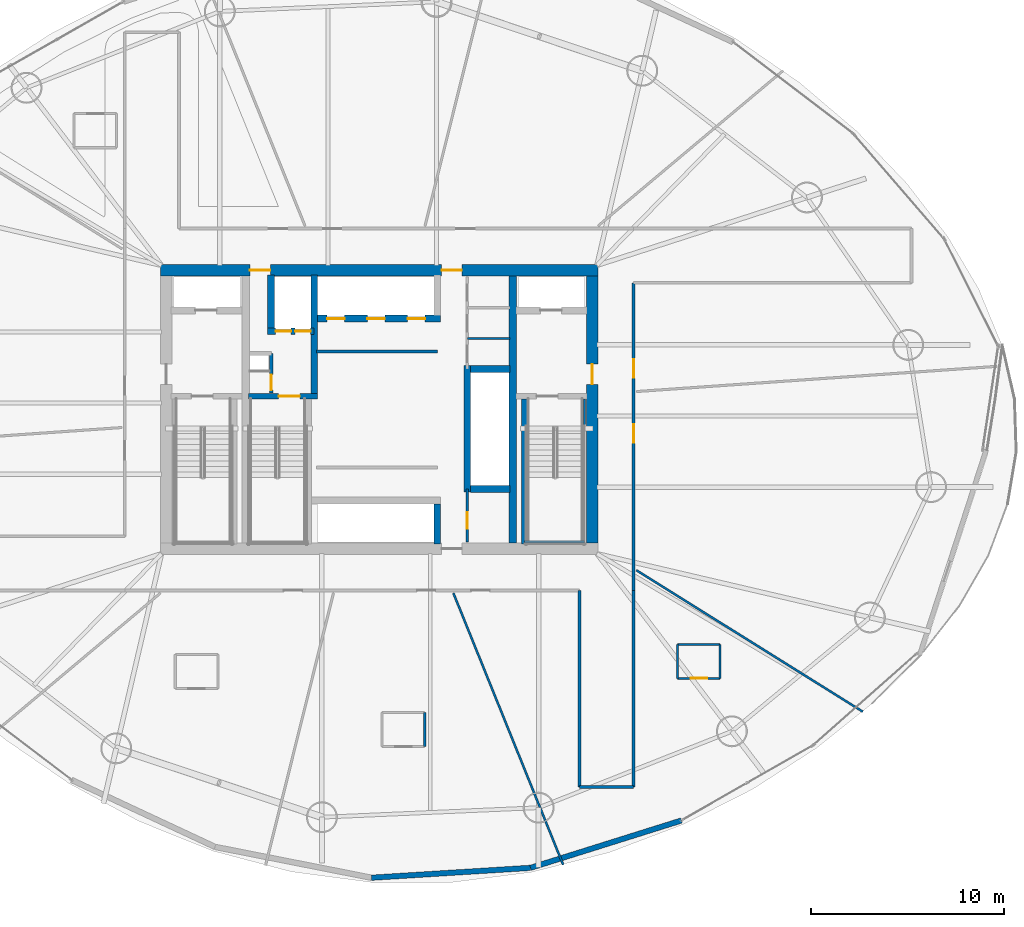
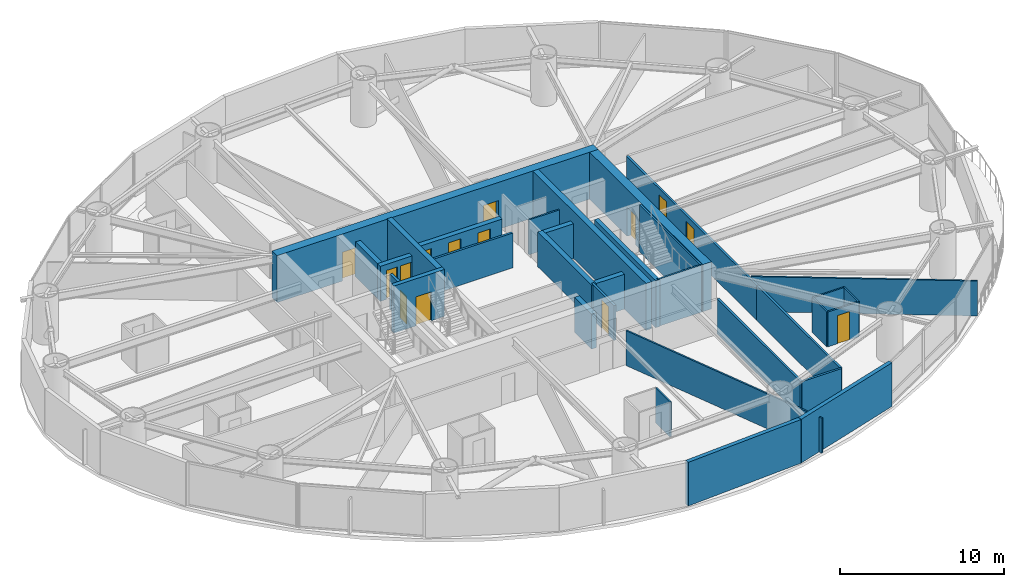
# One storey, part 20 of 26: 32 walls, 14 doors, 14 openings.
"""IFC4 building model written with IfcOpenShell, lengths in metres."""

from ifc_helpers import new_model, si_unit, direction, frame, frame_2d, origin, place, context, subcontext, project, spatial, rectangle, extrude, material, layer, layer_set, type_object, element, fill, save


model = new_model("IFC4")

# Units and contexts
model_context = context("Model", 3, precision=1e-05, world=origin(), true_north=direction((0.0, 1.0)))
body_context = subcontext(model_context, "Body", "Model", "MODEL_VIEW")
ifc_project = project(units=[si_unit("LENGTHUNIT", "METRE"), si_unit("AREAUNIT", "SQUARE_METRE"), si_unit("VOLUMEUNIT", "CUBIC_METRE"), si_unit("PLANEANGLEUNIT", "RADIAN"), si_unit("MASSUNIT", "GRAM", prefix="KILO")], contexts=[model_context])

# Site, building, storey
site_placement = place(None, origin())
site = spatial("IfcSite", under=ifc_project, at=site_placement, CompositionType="ELEMENT")
building_placement = place(site_placement, origin())
building = spatial("IfcBuilding", under=site, at=building_placement, Name="Bramvorn Convention Spire", CompositionType="ELEMENT")
storey_placement = place(building_placement, frame((0.0, 0.0, 51.89990234375)))
storey = spatial("IfcBuildingStorey", under=building, at=storey_placement, Name="L10", CompositionType="ELEMENT", Elevation=51.89990234375)

# Wall, openings, doors
ifc_material_1 = material(Name="Concrete C60/70", Category="concrete")
ifc_layer_1 = layer(ifc_material_1, 0.60009765625)
ifc_layer_set_1 = layer_set([ifc_layer_1], Name="Concrete C60/70 - WL-CORE-600")
wall_type_1 = type_object("IfcWallType", Name="WL-CORE-600", PredefinedType="SHEAR", material=ifc_layer_set_1)
wall_1_placement = place(storey_placement, frame((26.699951171875, 33.199951171875, 0.0), z_axis=(0.0, 0.0, 1.0), x_axis=(1.0, 0.0, 0.0)))
wall_1 = element("IfcWall", 1, at=wall_1_placement, inside=storey, type_object=wall_type_1, Name="L10 North RC core shear wall", PredefinedType="SHEAR", context=body_context, shape_type="SweptSolid", body=[
    extrude(rectangle(XDim=22.60009765625, YDim=0.60009765625, at=frame_2d((11.300048828125, 0.0))), origin(), (0.0, 0.0, 1.0), 3.5),
])
opening_1_placement = place(wall_1_placement, frame((4.6201171875, 0.0, 0.0)))
opening_1 = element("IfcOpeningElement", 2, at=opening_1_placement, cuts=wall_1, Name="Opening DL-105", PredefinedType="OPENING", context=body_context, shape_type="SweptSolid", body=[
    extrude(rectangle(XDim=1.050048828125, YDim=2.14990234375, at=frame_2d((0.52490234375, 1.074951171875))), frame((0.0, 0.31005859375, 0.0), z_axis=(0.0, -1.0, 0.0), x_axis=(1.0, 0.0, 0.0)), (0.0, 0.0, 1.0), 0.6201171875),
])
opening_2_placement = place(wall_1_placement, frame((14.52001953125, 0.0, 0.0)))
opening_2 = element("IfcOpeningElement", 3, at=opening_2_placement, cuts=wall_1, Name="Opening DL-105", PredefinedType="OPENING", context=body_context, shape_type="SweptSolid", body=[
    extrude(rectangle(XDim=1.050048828125, YDim=2.14990234375, at=frame_2d((0.52490234375, 1.074951171875))), frame((0.0, 0.31005859375, 0.0), z_axis=(0.0, -1.0, 0.0), x_axis=(1.0, 0.0, 0.0)), (0.0, 0.0, 1.0), 0.6201171875),
])
ifc_material_2 = material(Name="Smoke-Sealed Fire Lobby Timber-Core Door", Category="wood")
door_type_1 = type_object("IfcDoorType", Name="DR-LOBBY-1050", OperationType="NOTDEFINED", PredefinedType="DOOR", material=ifc_material_2)
door_1_placement = place(opening_1_placement, origin())
door_1 = element("IfcDoor", 4, at=door_1_placement, inside=storey, type_object=door_type_1, Name="L10 Service & Stair ST3 Lobby north corridor door", OperationType="SINGLE_SWING_LEFT", OverallHeight=2.14990234375, OverallWidth=1.050048828125, PredefinedType="DOOR", context=body_context, shape_type="SweptSolid", body=[
    extrude(rectangle(XDim=1.050048828125, YDim=2.14990234375, at=frame_2d((0.52490234375, 1.074951171875))), frame((0.0, 0.02490234375, 0.0), z_axis=(0.0, -1.0, 0.0), x_axis=(1.0, 0.0, 0.0)), (0.0, 0.0, 1.0), 0.050048828125),
])
fill(opening_1, door_1)
door_2_placement = place(opening_2_placement, origin())
door_2 = element("IfcDoor", 5, at=door_2_placement, inside=storey, type_object=door_type_1, Name="L10 North Lift Lobby fire door", OperationType="SINGLE_SWING_LEFT", OverallHeight=2.14990234375, OverallWidth=1.050048828125, PredefinedType="DOOR", context=body_context, shape_type="SweptSolid", body=[
    extrude(rectangle(XDim=1.050048828125, YDim=2.14990234375, at=frame_2d((0.52490234375, 1.074951171875))), frame((0.0, 0.02490234375, 0.0), z_axis=(0.0, -1.0, 0.0), x_axis=(1.0, 0.0, 0.0)), (0.0, 0.0, 1.0), 0.050048828125),
])
fill(opening_2, door_2)

# Wall, opening, door
wall_2_placement = place(storey_placement, frame((49.0, 19.10009765625, 0.0), z_axis=(0.0, 0.0, 1.0), x_axis=(0.0, 1.0, 0.0)))
wall_2 = element("IfcWall", 6, at=wall_2_placement, inside=storey, type_object=wall_type_1, Name="L10 East RC core shear wall", PredefinedType="SHEAR", context=body_context, shape_type="SweptSolid", body=[
    extrude(rectangle(XDim=13.7998046875, YDim=0.60009765625, at=frame_2d((6.89990234375, 0.0))), origin(), (0.0, 0.0, 1.0), 3.5),
])
opening_3_placement = place(wall_2_placement, frame((8.199951171875, 0.0, 0.0)))
opening_3 = element("IfcOpeningElement", 7, at=opening_3_placement, cuts=wall_2, Name="Opening DL-105", PredefinedType="OPENING", context=body_context, shape_type="SweptSolid", body=[
    extrude(rectangle(XDim=1.050048828125, YDim=2.14990234375, at=frame_2d((0.52490234375, 1.074951171875))), frame((0.0, 0.31005859375, 0.0), z_axis=(0.0, -1.0, 0.0), x_axis=(1.0, 0.0, 0.0)), (0.0, 0.0, 1.0), 0.6201171875),
])
door_3_placement = place(opening_3_placement, origin())
door_3 = element("IfcDoor", 8, at=door_3_placement, inside=storey, type_object=door_type_1, Name="L10 East Firefighting Lobby corridor door", OperationType="SINGLE_SWING_LEFT", OverallHeight=2.14990234375, OverallWidth=1.050048828125, PredefinedType="DOOR", context=body_context, shape_type="SweptSolid", body=[
    extrude(rectangle(XDim=1.050048828125, YDim=2.14990234375, at=frame_2d((0.52490234375, 1.074951171875))), frame((0.0, 0.02490234375, 0.0), z_axis=(0.0, -1.0, 0.0), x_axis=(1.0, 0.0, 0.0)), (0.0, 0.0, 1.0), 0.050048828125),
])
fill(opening_3, door_3)

# Wall
ifc_material_3 = material(Name="Concrete C50/60", Category="concrete")
ifc_layer_2 = layer(ifc_material_3, 0.35009765625)
ifc_layer_set_2 = layer_set([ifc_layer_2], Name="Concrete C50/60 - WL-CORE-INT-350")
wall_type_2 = type_object("IfcWallType", Name="WL-CORE-INT-350", PredefinedType="SHEAR", material=ifc_layer_set_2)
wall_3_placement = place(storey_placement, frame((34.639892578125, 26.68994140625, 0.0), z_axis=(0.0, 0.0, 1.0), x_axis=(0.0, 1.0, 0.0)))
element("IfcWall", 9, at=wall_3_placement, inside=storey, type_object=wall_type_2, Name="L10 SV east core shaft wall", PredefinedType="SHEAR", context=body_context, shape_type="SweptSolid", body=[
    extrude(rectangle(XDim=6.260009765625, YDim=0.35009765625, at=frame_2d((3.1298828125, 0.0))), origin(), (0.0, 0.0, 1.0), 3.5),
])

# Wall, openings, doors
wall_4_placement = place(storey_placement, frame((32.22998046875, 30.050048828125, 0.0), z_axis=(0.0, 0.0, 1.0), x_axis=(1.0, 0.0, 0.0)))
wall_4 = element("IfcWall", 10, at=wall_4_placement, inside=storey, type_object=wall_type_2, Name="L10 SV1/SV2 shaft front wall", PredefinedType="SHEAR", context=body_context, shape_type="SweptSolid", body=[
    extrude(rectangle(XDim=2.409912109375, YDim=0.35009765625, at=frame_2d((1.205078125, 0.0))), origin(), (0.0, 0.0, 1.0), 2.60009765625),
])
opening_4_placement = place(wall_4_placement, frame((0.419921875, 0.0, 0.0)))
opening_4 = element("IfcOpeningElement", 11, at=opening_4_placement, cuts=wall_4, Name="Opening LD-080", PredefinedType="OPENING", context=body_context, shape_type="SweptSolid", body=[
    extrude(rectangle(XDim=0.800048828125, YDim=2.14990234375, at=frame_2d((0.39990234375, 1.074951171875))), frame((0.0, 0.18505859375, 0.0), z_axis=(0.0, -1.0, 0.0), x_axis=(1.0, 0.0, 0.0)), (0.0, 0.0, 1.0), 0.3701171875),
])
opening_5_placement = place(wall_4_placement, frame((1.419921875, 0.0, 0.0)))
opening_5 = element("IfcOpeningElement", 12, at=opening_5_placement, cuts=wall_4, Name="Opening LD-080", PredefinedType="OPENING", context=body_context, shape_type="SweptSolid", body=[
    extrude(rectangle(XDim=0.800048828125, YDim=2.14990234375, at=frame_2d((0.39990234375, 1.074951171875))), frame((0.0, 0.18505859375, 0.0), z_axis=(0.0, -1.0, 0.0), x_axis=(1.0, 0.0, 0.0)), (0.0, 0.0, 1.0), 0.3701171875),
])
ifc_material_4 = material(Name="Service Lift Bi-Parting Landing Door", Category="steel")
door_type_2 = type_object("IfcDoorType", Name="DR-LIFT-LD-800", OperationType="NOTDEFINED", PredefinedType="DOOR", material=ifc_material_4)
door_4_placement = place(opening_4_placement, origin())
door_4 = element("IfcDoor", 13, at=door_4_placement, inside=storey, type_object=door_type_2, Name="L10 Lift SV1 Sliding Landing Door", OperationType="SLIDING_TO_LEFT", OverallHeight=2.14990234375, OverallWidth=0.800048828125, PredefinedType="DOOR", context=body_context, shape_type="SweptSolid", body=[
    extrude(rectangle(XDim=0.800048828125, YDim=2.14990234375, at=frame_2d((0.39990234375, 1.074951171875))), frame((0.0, 0.02490234375, 0.0), z_axis=(0.0, -1.0, 0.0), x_axis=(1.0, 0.0, 0.0)), (0.0, 0.0, 1.0), 0.050048828125),
])
fill(opening_4, door_4)
door_5_placement = place(opening_5_placement, origin())
door_5 = element("IfcDoor", 14, at=door_5_placement, inside=storey, type_object=door_type_2, Name="L10 Lift SV2 Sliding Landing Door", OperationType="SLIDING_TO_LEFT", OverallHeight=2.14990234375, OverallWidth=0.800048828125, PredefinedType="DOOR", context=body_context, shape_type="SweptSolid", body=[
    extrude(rectangle(XDim=0.800048828125, YDim=2.14990234375, at=frame_2d((0.39990234375, 1.074951171875))), frame((0.0, 0.02490234375, 0.0), z_axis=(0.0, -1.0, 0.0), x_axis=(1.0, 0.0, 0.0)), (0.0, 0.0, 1.0), 0.050048828125),
])
fill(opening_5, door_5)

# Walls
wall_5_placement = place(storey_placement, frame((32.39990234375, 30.219970703125, 0.0), z_axis=(0.0, 0.0, 1.0), x_axis=(0.0, 1.0, 0.0)))
element("IfcWall", 15, at=wall_5_placement, inside=storey, type_object=wall_type_2, Name="L10 SV1 west hoistway wall", PredefinedType="SHEAR", context=body_context, shape_type="SweptSolid", body=[
    extrude(rectangle(XDim=2.72998046875, YDim=0.35009765625, at=frame_2d((1.364990234375, 0.0))), origin(), (0.0, 0.0, 1.0), 2.60009765625),
])
wall_6_placement = place(storey_placement, frame((42.550048828125, 21.72998046875, 0.0), z_axis=(0.0, 0.0, 1.0), x_axis=(0.0, 1.0, 0.0)))
element("IfcWall", 16, at=wall_6_placement, inside=storey, type_object=wall_type_2, Name="L10 High-rise lift bank west wall", PredefinedType="SHEAR", context=body_context, shape_type="SweptSolid", body=[
    extrude(rectangle(XDim=6.5400390625, YDim=0.35009765625, at=frame_2d((3.27001953125, 0.0))), origin(), (0.0, 0.0, 1.0), 2.60009765625),
])
for number, where, z_axis, x_axis, name in (
    (17, (42.719970703125, 21.89990234375, 0.0), (0.0, 0.0, 1.0), (1.0, 0.0, 0.0), "L10 High-rise lift bank south wall"),
    (18, (42.719970703125, 28.10009765625, 0.0), (0.0, 0.0, 1.0), (1.0, 0.0, 0.0), "L10 High-rise lift bank north wall"),
):
    element("IfcWall", number, at=place(storey_placement, frame(where, z_axis=z_axis, x_axis=x_axis)), inside=storey, type_object=wall_type_2, Name=name, PredefinedType="SHEAR", context=body_context, shape_type="SweptSolid", body=[
        extrude(rectangle(XDim=2.030029296875, YDim=0.35009765625, at=frame_2d((1.01513671875, 0.0))), origin(), (0.0, 0.0, 1.0), 2.60009765625),
    ])

# Wall, openings, doors
wall_7_placement = place(storey_placement, frame((34.81005859375, 30.699951171875, 0.0), z_axis=(0.0, 0.0, 1.0), x_axis=(1.0, 0.0, 0.0)))
wall_7 = element("IfcWall", 19, at=wall_7_placement, inside=storey, type_object=wall_type_2, Name="L10 Low-rise bank south landing wall", PredefinedType="SHEAR", context=body_context, shape_type="SweptSolid", body=[
    extrude(rectangle(XDim=6.35986328125, YDim=0.35009765625, at=frame_2d((3.179931640625, 0.0))), origin(), (0.0, 0.0, 1.0), 2.60009765625),
])
opening_6_placement = place(wall_7_placement, frame((0.5, 0.0, 0.0)))
opening_6 = element("IfcOpeningElement", 20, at=opening_6_placement, cuts=wall_7, Name="Opening LD-090", PredefinedType="OPENING", context=body_context, shape_type="SweptSolid", body=[
    extrude(rectangle(XDim=0.89990234375, YDim=2.14990234375, at=frame_2d((0.449951171875, 1.074951171875))), frame((0.0, 0.18505859375, 0.0), z_axis=(0.0, -1.0, 0.0), x_axis=(1.0, 0.0, 0.0)), (0.0, 0.0, 1.0), 0.3701171875),
])
opening_7_placement = place(wall_7_placement, frame((2.580078125, 0.0, 0.0)))
opening_7 = element("IfcOpeningElement", 21, at=opening_7_placement, cuts=wall_7, Name="Opening LD-090", PredefinedType="OPENING", context=body_context, shape_type="SweptSolid", body=[
    extrude(rectangle(XDim=0.89990234375, YDim=2.14990234375, at=frame_2d((0.449951171875, 1.074951171875))), frame((0.0, 0.18505859375, 0.0), z_axis=(0.0, -1.0, 0.0), x_axis=(1.0, 0.0, 0.0)), (0.0, 0.0, 1.0), 0.3701171875),
])
opening_8_placement = place(wall_7_placement, frame((4.659912109375, 0.0, 0.0)))
opening_8 = element("IfcOpeningElement", 22, at=opening_8_placement, cuts=wall_7, Name="Opening LD-090", PredefinedType="OPENING", context=body_context, shape_type="SweptSolid", body=[
    extrude(rectangle(XDim=0.89990234375, YDim=2.14990234375, at=frame_2d((0.449951171875, 1.074951171875))), frame((0.0, 0.18505859375, 0.0), z_axis=(0.0, -1.0, 0.0), x_axis=(1.0, 0.0, 0.0)), (0.0, 0.0, 1.0), 0.3701171875),
])
ifc_material_5 = material(Name="Bi-Parting Fire-Rated Lift Landing Door", Category="steel")
door_type_3 = type_object("IfcDoorType", Name="DR-LIFT-LD-900", OperationType="NOTDEFINED", PredefinedType="DOOR", material=ifc_material_5)
door_6_placement = place(opening_6_placement, origin())
door_6 = element("IfcDoor", 23, at=door_6_placement, inside=storey, type_object=door_type_3, Name="L10 Lift PL1 Sliding Landing Door", OperationType="SLIDING_TO_LEFT", OverallHeight=2.14990234375, OverallWidth=0.89990234375, PredefinedType="DOOR", context=body_context, shape_type="SweptSolid", body=[
    extrude(rectangle(XDim=0.89990234375, YDim=2.14990234375, at=frame_2d((0.449951171875, 1.074951171875))), frame((0.0, 0.02490234375, 0.0), z_axis=(0.0, -1.0, 0.0), x_axis=(1.0, 0.0, 0.0)), (0.0, 0.0, 1.0), 0.050048828125),
])
fill(opening_6, door_6)
door_7_placement = place(opening_7_placement, origin())
door_7 = element("IfcDoor", 24, at=door_7_placement, inside=storey, type_object=door_type_3, Name="L10 Lift PL2 Sliding Landing Door", OperationType="SLIDING_TO_LEFT", OverallHeight=2.14990234375, OverallWidth=0.89990234375, PredefinedType="DOOR", context=body_context, shape_type="SweptSolid", body=[
    extrude(rectangle(XDim=0.89990234375, YDim=2.14990234375, at=frame_2d((0.449951171875, 1.074951171875))), frame((0.0, 0.02490234375, 0.0), z_axis=(0.0, -1.0, 0.0), x_axis=(1.0, 0.0, 0.0)), (0.0, 0.0, 1.0), 0.050048828125),
])
fill(opening_7, door_7)
door_8_placement = place(opening_8_placement, origin())
door_8 = element("IfcDoor", 25, at=door_8_placement, inside=storey, type_object=door_type_3, Name="L10 Lift PL3 Sliding Landing Door", OperationType="SLIDING_TO_LEFT", OverallHeight=2.14990234375, OverallWidth=0.89990234375, PredefinedType="DOOR", context=body_context, shape_type="SweptSolid", body=[
    extrude(rectangle(XDim=0.89990234375, YDim=2.14990234375, at=frame_2d((0.449951171875, 1.074951171875))), frame((0.0, 0.02490234375, 0.0), z_axis=(0.0, -1.0, 0.0), x_axis=(1.0, 0.0, 0.0)), (0.0, 0.0, 1.0), 0.050048828125),
])
fill(opening_8, door_8)

# Walls
wall_8_placement = place(storey_placement, frame((41.0, 19.050048828125, 0.0), z_axis=(0.0, 0.0, 1.0), x_axis=(0.0, 1.0, 0.0)))
element("IfcWall", 26, at=wall_8_placement, inside=storey, type_object=wall_type_2, Name="L10 Mid-rise bank east cheek wall", PredefinedType="SHEAR", context=body_context, shape_type="SweptSolid", body=[
    extrude(rectangle(XDim=2.079833984375, YDim=0.35009765625, at=frame_2d((1.0400390625, 0.0))), origin(), (0.0, 0.0, 1.0), 2.60009765625),
])
ifc_layer_3 = layer(ifc_material_1, 0.39990234375)
ifc_layer_set_3 = layer_set([ifc_layer_3], Name="Concrete C60/70 - WL-CORE-INT-400")
wall_type_3 = type_object("IfcWallType", Name="WL-CORE-INT-400", PredefinedType="SHEAR", material=ifc_layer_set_3)
wall_9_placement = place(storey_placement, frame((44.89990234375, 19.10009765625, 0.0), z_axis=(0.0, 0.0, 1.0), x_axis=(0.0, 1.0, 0.0)))
element("IfcWall", 27, at=wall_9_placement, inside=storey, type_object=wall_type_3, Name="L10 East internal core shear web", PredefinedType="SHEAR", context=body_context, shape_type="SweptSolid", body=[
    extrude(rectangle(XDim=13.7998046875, YDim=0.39990234375, at=frame_2d((6.89990234375, 0.0))), origin(), (0.0, 0.0, 1.0), 3.5),
])
ifc_material_6 = material(Name="Precast Concrete C40/50 with Bronze Terracotta Rainscreen", Category="masonry")
ifc_layer_4 = layer(ifc_material_6, 0.300048828125)
ifc_layer_set_4 = layer_set([ifc_layer_4], Name="Precast Concrete C40/50 with Bronze Terracotta Rainscreen - WL-EXT-BRONZE-300")
wall_type_4 = type_object("IfcWallType", Name="WL-EXT-BRONZE-300", PredefinedType="SOLIDWALL", material=ifc_layer_set_4)
wall_10_placement = place(storey_placement, frame((45.821044921875, 2.314453125, 0.0), z_axis=(0.0, 0.0, 1.0), x_axis=(-0.99807418835, -0.062031560917, 0.0)))
element("IfcWall", 28, at=wall_10_placement, inside=storey, type_object=wall_type_4, Name="L10 expressed bronze Gothic lancet pier wall 19", PredefinedType="SOLIDWALL", context=body_context, shape_type="SweptSolid", body=[
    extrude(rectangle(XDim=8.241455078125, YDim=0.280029296875, at=frame_2d((4.12060546875, 0.0))), origin(), (0.0, 0.0, 1.0), 3.25),
])
wall_11_placement = place(storey_placement, frame((53.61669921875, 4.761474609375, 0.0), z_axis=(0.0, 0.0, 1.0), x_axis=(-0.954100123885, -0.299487818787, 0.0)))
element("IfcWall", 29, at=wall_11_placement, inside=storey, type_object=wall_type_4, Name="L10 expressed bronze Gothic lancet pier wall 20", PredefinedType="SOLIDWALL", context=body_context, shape_type="SweptSolid", body=[
    extrude(rectangle(XDim=8.170654296875, YDim=0.280029296875, at=frame_2d((4.08544921875, 0.0))), origin(), (0.0, 0.0, 1.0), 3.25),
])
ifc_material_7 = material(Name="Lightweight En-Suite & Wet-Wall Partition", Category="gypsum")
ifc_layer_5 = layer(ifc_material_7, 0.110107421875)
ifc_layer_set_5 = layer_set([ifc_layer_5], Name="Lightweight En-Suite & Wet-Wall Partition - WL-PART-110")
wall_type_5 = type_object("IfcWallType", Name="WL-PART-110", PredefinedType="PARTITIONING", material=ifc_layer_set_5)
wall_12_placement = place(storey_placement, frame((42.550048828125, 29.679931640625, 0.0), z_axis=(0.0, 0.0, 1.0), x_axis=(1.0, 0.0, 0.0)))
element("IfcWall", 30, at=wall_12_placement, inside=storey, type_object=wall_type_5, Name="L10 KC NE div 1", PredefinedType="PARTITIONING", context=body_context, shape_type="SweptSolid", body=[
    extrude(rectangle(XDim=2.199951171875, YDim=0.110107421875, at=frame_2d((1.10009765625, 0.0))), origin(), (0.0, 0.0, 1.0), 2.60009765625),
])
wall_13_placement = place(storey_placement, frame((41.834228515625, 16.510009765625, 0.0), z_axis=(0.0, 0.0, 1.0), x_axis=(0.374612575017, -0.927181437821, 0.0)))
element("IfcWall", 31, at=wall_13_placement, inside=storey, type_object=wall_type_5, Name="L10 Guestroom demising wall 9", PredefinedType="PARTITIONING", context=body_context, shape_type="SweptSolid", body=[
    extrude(rectangle(XDim=15.14453125, YDim=0.110107421875, at=frame_2d((7.572265625, 0.0))), origin(), (0.0, 0.0, 1.0), 2.60009765625),
])
wall_14_placement = place(storey_placement, frame((51.2900390625, 17.695556640625, 0.0), z_axis=(0.0, 0.0, 1.0), x_axis=(0.848048981213, -0.529917847844, 0.0)))
element("IfcWall", 32, at=wall_14_placement, inside=storey, type_object=wall_type_5, Name="L10 Guestroom demising wall 10", PredefinedType="PARTITIONING", context=body_context, shape_type="SweptSolid", body=[
    extrude(rectangle(XDim=13.802001953125, YDim=0.110107421875, at=frame_2d((6.90087890625, 0.0))), origin(), (0.0, 0.0, 1.0), 2.60009765625),
])
wall_15_placement = place(storey_placement, frame((40.3505859375, 8.57958984375, 0.0), z_axis=(0.0, 0.0, 1.0), x_axis=(0.0, 1.0, 0.0)))
element("IfcWall", 33, at=wall_15_placement, inside=storey, type_object=wall_type_5, Name="Hotel Suite 1008 en-suite east wall", PredefinedType="PARTITIONING", context=body_context, shape_type="SweptSolid", body=[
    extrude(rectangle(XDim=1.760009765625, YDim=0.110107421875, at=frame_2d((0.8798828125, 0.0))), origin(), (0.0, 0.0, 1.0), 2.60009765625),
])

# Wall, opening, door
wall_16_placement = place(storey_placement, frame((53.418701171875, 12.102783203125, 0.0), z_axis=(0.0, 0.0, 1.0), x_axis=(1.0, 0.0, 0.0)))
wall_16 = element("IfcWall", 34, at=wall_16_placement, inside=storey, type_object=wall_type_5, Name="Hotel Suite 1009 en-suite south wall", PredefinedType="PARTITIONING", context=body_context, shape_type="SweptSolid", body=[
    extrude(rectangle(XDim=2.199951171875, YDim=0.110107421875, at=frame_2d((1.10009765625, 0.0))), origin(), (0.0, 0.0, 1.0), 2.60009765625),
])
opening_9_placement = place(wall_16_placement, frame((0.679931640625, 0.0, 0.0)))
opening_9 = element("IfcOpeningElement", 35, at=opening_9_placement, cuts=wall_16, Name="Opening DI-085", PredefinedType="OPENING", context=body_context, shape_type="SweptSolid", body=[
    extrude(rectangle(XDim=0.85009765625, YDim=2.10009765625, at=frame_2d((0.425048828125, 1.050048828125))), frame((0.0, 0.06494140625, 0.0), z_axis=(0.0, -1.0, 0.0), x_axis=(1.0, 0.0, 0.0)), (0.0, 0.0, 1.0), 0.130126953125),
])
ifc_material_8 = material(Name="En-Suite & Restroom Privacy Door", Category="wood")
door_type_4 = type_object("IfcDoorType", Name="DR-INT-850", OperationType="NOTDEFINED", PredefinedType="DOOR", material=ifc_material_8)
door_9_placement = place(opening_9_placement, origin())
door_9 = element("IfcDoor", 36, at=door_9_placement, inside=storey, type_object=door_type_4, Name="Hotel Suite 1009 En-Suite Bathroom door", OperationType="SINGLE_SWING_LEFT", OverallHeight=2.10009765625, OverallWidth=0.85009765625, PredefinedType="DOOR", context=body_context, shape_type="SweptSolid", body=[
    extrude(rectangle(XDim=0.85009765625, YDim=2.10009765625, at=frame_2d((0.425048828125, 1.050048828125))), frame((0.0, 0.02490234375, 0.0), z_axis=(0.0, -1.0, 0.0), x_axis=(1.0, 0.0, 0.0)), (0.0, 0.0, 1.0), 0.050048828125),
])
fill(opening_9, door_9)

# Walls
wall_17_placement = place(storey_placement, frame((53.418701171875, 13.86279296875, 0.0), z_axis=(0.0, 0.0, 1.0), x_axis=(1.0, 0.0, 0.0)))
element("IfcWall", 37, at=wall_17_placement, inside=storey, type_object=wall_type_5, Name="Hotel Suite 1009 en-suite north wall", PredefinedType="PARTITIONING", context=body_context, shape_type="SweptSolid", body=[
    extrude(rectangle(XDim=2.199951171875, YDim=0.110107421875, at=frame_2d((1.10009765625, 0.0))), origin(), (0.0, 0.0, 1.0), 2.60009765625),
])
for number, where, z_axis, x_axis, name in (
    (38, (53.418701171875, 12.102783203125, 0.0), (0.0, 0.0, 1.0), (0.0, 1.0, 0.0), "Hotel Suite 1009 en-suite west wall"),
    (39, (55.61865234375, 12.102783203125, 0.0), (0.0, 0.0, 1.0), (0.0, 1.0, 0.0), "Hotel Suite 1009 en-suite east wall"),
):
    element("IfcWall", number, at=place(storey_placement, frame(where, z_axis=z_axis, x_axis=x_axis)), inside=storey, type_object=wall_type_5, Name=name, PredefinedType="PARTITIONING", context=body_context, shape_type="SweptSolid", body=[
        extrude(rectangle(XDim=1.760009765625, YDim=0.110107421875, at=frame_2d((0.8798828125, 0.0))), origin(), (0.0, 0.0, 1.0), 2.60009765625),
    ])
ifc_material_9 = material(Name="Acoustic Metal-Stud Tenant/Corridor Partition", Category="gypsum")
ifc_layer_6 = layer(ifc_material_9, 0.14990234375)
ifc_layer_set_6 = layer_set([ifc_layer_6], Name="Acoustic Metal-Stud Tenant/Corridor Partition - WL-PART-150")
wall_type_6 = type_object("IfcWallType", Name="WL-PART-150", PredefinedType="PARTITIONING", material=ifc_layer_set_6)
wall_18_placement = place(storey_placement, frame((34.75, 29.0, 0.0), z_axis=(0.0, 0.0, 1.0), x_axis=(1.0, 0.0, 0.0)))
element("IfcWall", 40, at=wall_18_placement, inside=storey, type_object=wall_type_6, Name="L10 Low-rise lift vestibule south wall", PredefinedType="PARTITIONING", context=body_context, shape_type="SweptSolid", body=[
    extrude(rectangle(XDim=6.25, YDim=0.14990234375, at=frame_2d((3.125, 0.0))), origin(), (0.0, 0.0, 1.0), 2.60009765625),
])

# Wall, opening, door
wall_19_placement = place(storey_placement, frame((42.550048828125, 19.14990234375, 0.0), z_axis=(0.0, 0.0, 1.0), x_axis=(0.0, 1.0, 0.0)))
wall_19 = element("IfcWall", 41, at=wall_19_placement, inside=storey, type_object=wall_type_6, Name="L10 KC SE wall", PredefinedType="PARTITIONING", context=body_context, shape_type="SweptSolid", body=[
    extrude(rectangle(XDim=2.75, YDim=0.14990234375, at=frame_2d((1.375, 0.0))), origin(), (0.0, 0.0, 1.0), 2.60009765625),
])
opening_10_placement = place(wall_19_placement, frame((0.699951171875, 0.0, 0.0)))
opening_10 = element("IfcOpeningElement", 42, at=opening_10_placement, cuts=wall_19, Name="Opening DC-085", PredefinedType="OPENING", context=body_context, shape_type="SweptSolid", body=[
    extrude(rectangle(XDim=0.85009765625, YDim=2.10009765625, at=frame_2d((0.425048828125, 1.050048828125))), frame((0.0, 0.0849609375, 0.0), z_axis=(0.0, -1.0, 0.0), x_axis=(1.0, 0.0, 0.0)), (0.0, 0.0, 1.0), 0.169921875),
])
ifc_material_10 = material(Name="Fire-Rated Core Washroom & IDF Door", Category="wood")
door_type_5 = type_object("IfcDoorType", Name="DR-CORE-850", OperationType="NOTDEFINED", PredefinedType="DOOR", material=ifc_material_10)
door_10_placement = place(opening_10_placement, origin())
door_10 = element("IfcDoor", 43, at=door_10_placement, inside=storey, type_object=door_type_5, Name="L10 Core Valve & Riser Room door", OperationType="SINGLE_SWING_LEFT", OverallHeight=2.10009765625, OverallWidth=0.85009765625, PredefinedType="DOOR", context=body_context, shape_type="SweptSolid", body=[
    extrude(rectangle(XDim=0.85009765625, YDim=2.10009765625, at=frame_2d((0.425048828125, 1.050048828125))), frame((0.0, 0.02490234375, 0.0), z_axis=(0.0, -1.0, 0.0), x_axis=(1.0, 0.0, 0.0)), (0.0, 0.0, 1.0), 0.050048828125),
])
fill(opening_10, door_10)

# Wall, openings, doors
wall_20_placement = place(storey_placement, frame((51.14990234375, 16.64990234375, 0.0), z_axis=(0.0, 0.0, 1.0), x_axis=(0.0, 1.0, 0.0)))
wall_20 = element("IfcWall", 44, at=wall_20_placement, inside=storey, type_object=wall_type_6, Name="L10 East ring corridor wall", PredefinedType="PARTITIONING", context=body_context, shape_type="SweptSolid", body=[
    extrude(rectangle(XDim=15.900146484375, YDim=0.14990234375, at=frame_2d((7.9501953125, 0.0))), origin(), (0.0, 0.0, 1.0), 2.60009765625),
])
opening_11_placement = place(wall_20_placement, frame((10.986083984375, 0.0, 0.0)))
opening_11 = element("IfcOpeningElement", 45, at=opening_11_placement, cuts=wall_20, Name="Opening DH-095", PredefinedType="OPENING", context=body_context, shape_type="SweptSolid", body=[
    extrude(rectangle(XDim=0.949951171875, YDim=2.14990234375, at=frame_2d((0.47509765625, 1.074951171875))), frame((0.0, 0.0849609375, 0.0), z_axis=(0.0, -1.0, 0.0), x_axis=(1.0, 0.0, 0.0)), (0.0, 0.0, 1.0), 0.169921875),
])
opening_12_placement = place(wall_20_placement, frame((7.644775390625, 0.0, 0.0)))
opening_12 = element("IfcOpeningElement", 46, at=opening_12_placement, cuts=wall_20, Name="Opening DH-095", PredefinedType="OPENING", context=body_context, shape_type="SweptSolid", body=[
    extrude(rectangle(XDim=0.949951171875, YDim=2.14990234375, at=frame_2d((0.47509765625, 1.074951171875))), frame((0.0, 0.0849609375, 0.0), z_axis=(0.0, -1.0, 0.0), x_axis=(1.0, 0.0, 0.0)), (0.0, 0.0, 1.0), 0.169921875),
])
ifc_material_11 = material(Name="Solid-Core Acoustic Guestroom Entry Door", Category="wood")
door_type_6 = type_object("IfcDoorType", Name="DR-HOTEL-950", OperationType="NOTDEFINED", PredefinedType="DOOR", material=ifc_material_11)
door_11_placement = place(opening_11_placement, origin())
door_11 = element("IfcDoor", 47, at=door_11_placement, inside=storey, type_object=door_type_6, Name="L10 Sky Garden Lounge corridor door", OperationType="SINGLE_SWING_RIGHT", OverallHeight=2.14990234375, OverallWidth=0.949951171875, PredefinedType="DOOR", context=body_context, shape_type="SweptSolid", body=[
    extrude(rectangle(XDim=0.949951171875, YDim=2.14990234375, at=frame_2d((0.47509765625, 1.074951171875))), frame((0.0, 0.02490234375, 0.0), z_axis=(0.0, -1.0, 0.0), x_axis=(1.0, 0.0, 0.0)), (0.0, 0.0, 1.0), 0.050048828125),
])
fill(opening_11, door_11)
door_12_placement = place(opening_12_placement, origin())
door_12 = element("IfcDoor", 48, at=door_12_placement, inside=storey, type_object=door_type_6, Name="L10 Hospitality Salon 10 door", OperationType="SINGLE_SWING_RIGHT", OverallHeight=2.14990234375, OverallWidth=0.949951171875, PredefinedType="DOOR", context=body_context, shape_type="SweptSolid", body=[
    extrude(rectangle(XDim=0.949951171875, YDim=2.14990234375, at=frame_2d((0.47509765625, 1.074951171875))), frame((0.0, 0.02490234375, 0.0), z_axis=(0.0, -1.0, 0.0), x_axis=(1.0, 0.0, 0.0)), (0.0, 0.0, 1.0), 0.050048828125),
])
fill(opening_12, door_12)

# Walls
for number, where, z_axis, x_axis, name in (
    (49, (48.35009765625, 6.5, 0.0), (0.0, 0.0, 1.0), (0.0, 1.0, 0.0), "L10 SE pinwheel wing west wall"),
    (50, (51.14990234375, 6.5, 0.0), (0.0, 0.0, 1.0), (0.0, 1.0, 0.0), "L10 SE pinwheel wing east wall"),
):
    element("IfcWall", number, at=place(storey_placement, frame(where, z_axis=z_axis, x_axis=x_axis)), inside=storey, type_object=wall_type_6, Name=name, PredefinedType="PARTITIONING", context=body_context, shape_type="SweptSolid", body=[
        extrude(rectangle(XDim=10.14990234375, YDim=0.14990234375, at=frame_2d((5.074951171875, 0.0))), origin(), (0.0, 0.0, 1.0), 2.60009765625),
    ])
wall_21_placement = place(storey_placement, frame((48.35009765625, 6.5, 0.0), z_axis=(0.0, 0.0, 1.0), x_axis=(1.0, 0.0, 0.0)))
element("IfcWall", 51, at=wall_21_placement, inside=storey, type_object=wall_type_6, Name="L10 SE pinwheel end wall", PredefinedType="PARTITIONING", context=body_context, shape_type="SweptSolid", body=[
    extrude(rectangle(XDim=2.7998046875, YDim=0.14990234375, at=frame_2d((1.39990234375, 0.0))), origin(), (0.0, 0.0, 1.0), 2.60009765625),
])

# Wall, opening, door
ifc_material_12 = material(Name="Gypsum Shaftwall & Rockwool Core Partition", Category="gypsum")
ifc_layer_7 = layer(ifc_material_12, 0.199951171875)
ifc_layer_set_7 = layer_set([ifc_layer_7], Name="Gypsum Shaftwall & Rockwool Core Partition - WL-PART-200-FR")
wall_type_7 = type_object("IfcWallType", Name="WL-PART-200-FR", PredefinedType="PARTITIONING", material=ifc_layer_set_7)
wall_22_placement = place(storey_placement, frame((32.419921875, 26.860107421875, 0.0), z_axis=(0.0, 0.0, 1.0), x_axis=(0.0, 1.0, 0.0)))
wall_22 = element("IfcWall", 52, at=wall_22_placement, inside=storey, type_object=wall_type_7, Name="L10 Telecom riser east wall", PredefinedType="PARTITIONING", context=body_context, shape_type="SweptSolid", body=[
    extrude(rectangle(XDim=2.039794921875, YDim=0.199951171875, at=frame_2d((1.02001953125, 0.0))), origin(), (0.0, 0.0, 1.0), 2.60009765625),
])
opening_13_placement = place(wall_22_placement, frame((0.139892578125, 0.0, 0.0)))
opening_13 = element("IfcOpeningElement", 53, at=opening_13_placement, cuts=wall_22, Name="Opening DR-080", PredefinedType="OPENING", context=body_context, shape_type="SweptSolid", body=[
    extrude(rectangle(XDim=0.800048828125, YDim=2.050048828125, at=frame_2d((0.39990234375, 1.02490234375))), frame((0.0, 0.10986328125, 0.0), z_axis=(0.0, -1.0, 0.0), x_axis=(1.0, 0.0, 0.0)), (0.0, 0.0, 1.0), 0.219970703125),
])
ifc_material_13 = material(Name="Flush Steel Riser Access Door", Category="steel")
door_type_7 = type_object("IfcDoorType", Name="DR-RISER-800", OperationType="NOTDEFINED", PredefinedType="DOOR", material=ifc_material_13)
door_13_placement = place(opening_13_placement, origin())
door_13 = element("IfcDoor", 54, at=door_13_placement, inside=storey, type_object=door_type_7, Name="L10 Telecom riser access door", OperationType="SINGLE_SWING_RIGHT", OverallHeight=2.050048828125, OverallWidth=0.800048828125, PredefinedType="DOOR", context=body_context, shape_type="SweptSolid", body=[
    extrude(rectangle(XDim=0.800048828125, YDim=2.050048828125, at=frame_2d((0.39990234375, 1.02490234375))), frame((0.0, 0.02490234375, 0.0), z_axis=(0.0, -1.0, 0.0), x_axis=(1.0, 0.0, 0.0)), (0.0, 0.0, 1.0), 0.050048828125),
])
fill(opening_13, door_13)

# Wall
ifc_layer_8 = layer(ifc_material_3, 0.300048828125)
ifc_layer_set_8 = layer_set([ifc_layer_8], Name="Concrete C50/60 - WL-POD-STAIR-300")
wall_type_8 = type_object("IfcWallType", Name="WL-POD-STAIR-300", PredefinedType="SHEAR", material=ifc_layer_set_8)
wall_23_placement = place(storey_placement, frame((45.510009765625, 19.050048828125, 0.0), z_axis=(0.0, 0.0, 1.0), x_axis=(0.0, 1.0, 0.0)))
element("IfcWall", 55, at=wall_23_placement, inside=storey, type_object=wall_type_8, Name="L10 ST2 west bearing wall", PredefinedType="SHEAR", context=body_context, shape_type="SweptSolid", body=[
    extrude(rectangle(XDim=7.5, YDim=0.300048828125, at=frame_2d((3.75, 0.0))), origin(), (0.0, 0.0, 1.0), 3.5),
])

# Wall, opening, door
wall_24_placement = place(storey_placement, frame((31.25, 26.68994140625, 0.0), z_axis=(0.0, 0.0, 1.0), x_axis=(1.0, 0.0, 0.0)))
wall_24 = element("IfcWall", 56, at=wall_24_placement, inside=storey, type_object=wall_type_8, Name="L10 ST3 north lobby wall", PredefinedType="SHEAR", context=body_context, shape_type="SweptSolid", body=[
    extrude(rectangle(XDim=3.56005859375, YDim=0.300048828125, at=frame_2d((1.780029296875, 0.0))), origin(), (0.0, 0.0, 1.0), 3.5),
])
opening_14_placement = place(wall_24_placement, frame((1.550048828125, 0.0, 0.0)))
opening_14 = element("IfcOpeningElement", 57, at=opening_14_placement, cuts=wall_24, Name="Opening DS-110", PredefinedType="OPENING", context=body_context, shape_type="SweptSolid", body=[
    extrude(rectangle(XDim=1.10009765625, YDim=2.14990234375, at=frame_2d((0.550048828125, 1.074951171875))), frame((0.0, 0.159912109375, 0.0), z_axis=(0.0, -1.0, 0.0), x_axis=(1.0, 0.0, 0.0)), (0.0, 0.0, 1.0), 0.320068359375),
])
ifc_material_14 = material(Name="Fire-Rated Hollow Steel Stairwell Door", Category="steel")
door_type_8 = type_object("IfcDoorType", Name="DR-STAIR-1100", OperationType="NOTDEFINED", PredefinedType="DOOR", material=ifc_material_14)
door_14_placement = place(opening_14_placement, origin())
door_14 = element("IfcDoor", 58, at=door_14_placement, inside=storey, type_object=door_type_8, Name="L10 Stair ST3 fire door", OperationType="SINGLE_SWING_LEFT", OverallHeight=2.14990234375, OverallWidth=1.10009765625, PredefinedType="DOOR", context=body_context, shape_type="SweptSolid", body=[
    extrude(rectangle(XDim=1.10009765625, YDim=2.14990234375, at=frame_2d((0.550048828125, 1.074951171875))), frame((0.0, 0.02490234375, 0.0), z_axis=(0.0, -1.0, 0.0), x_axis=(1.0, 0.0, 0.0)), (0.0, 0.0, 1.0), 0.050048828125),
])
fill(opening_14, door_14)

# Walls
ifc_layer_9 = layer(ifc_material_3, 0.1201171875)
ifc_layer_set_9 = layer_set([ifc_layer_9], Name="Concrete C50/60 - WL-STAIR-RC-120")
wall_type_9 = type_object("IfcWallType", Name="WL-STAIR-RC-120", PredefinedType="SHEAR", material=ifc_layer_set_9)
wall_25_placement = place(storey_placement, frame((48.60498046875, 19.10009765625, 0.0), z_axis=(0.0, 0.0, 1.0), x_axis=(0.0, 1.0, 0.0)))
element("IfcWall", 59, at=wall_25_placement, inside=storey, type_object=wall_type_9, Name="L10 ST2 east bearing shear wall", PredefinedType="SHEAR", context=body_context, shape_type="SweptSolid", body=[
    extrude(rectangle(XDim=7.449951171875, YDim=0.1201171875, at=frame_2d((3.72509765625, 0.0))), origin(), (0.0, 0.0, 1.0), 3.5),
])
wall_26_placement = place(storey_placement, frame((45.510009765625, 19.159912109375, 0.0), z_axis=(0.0, 0.0, 1.0), x_axis=(1.0, 0.0, 0.0)))
element("IfcWall", 60, at=wall_26_placement, inside=storey, type_object=wall_type_9, Name="L10 ST2 south bearing shear wall", PredefinedType="SHEAR", context=body_context, shape_type="SweptSolid", body=[
    extrude(rectangle(XDim=3.094970703125, YDim=0.1201171875, at=frame_2d((1.54736328125, 0.0))), origin(), (0.0, 0.0, 1.0), 3.5),
])

save(model, "model.ifc")
